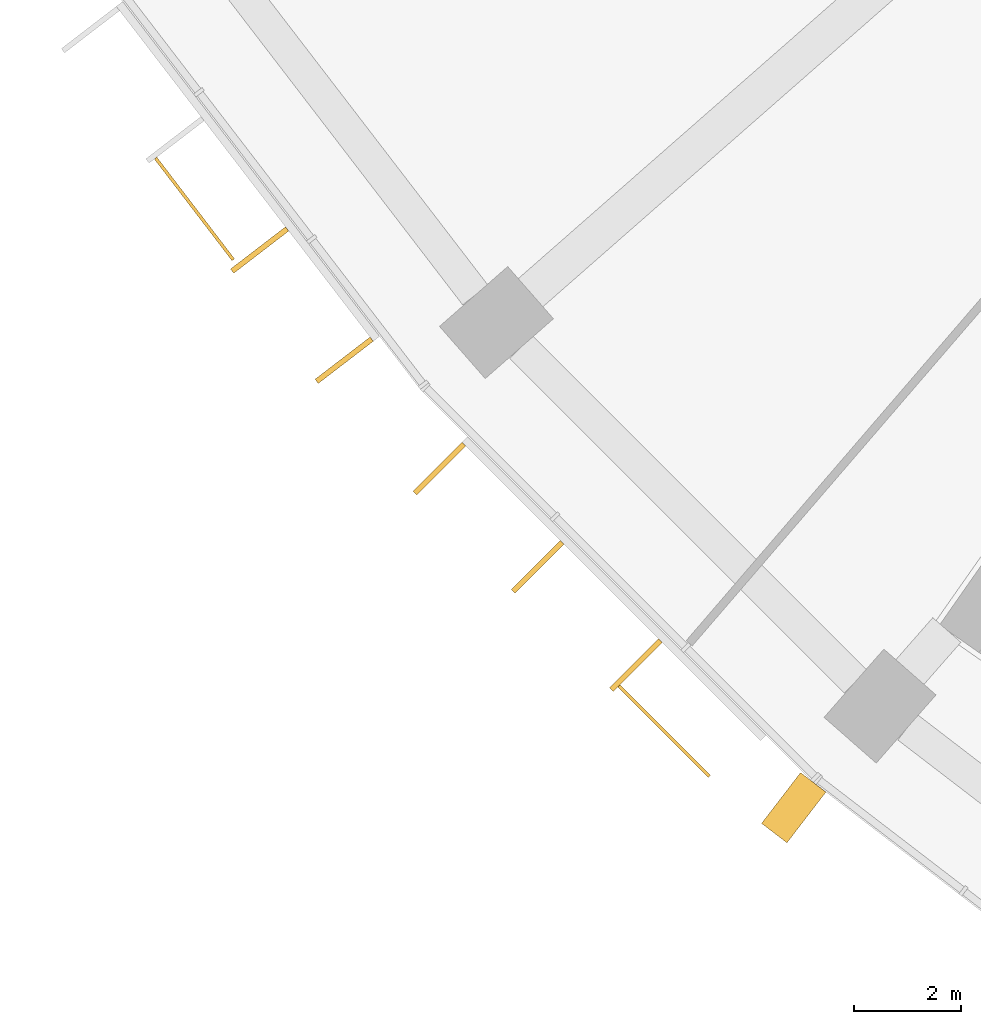
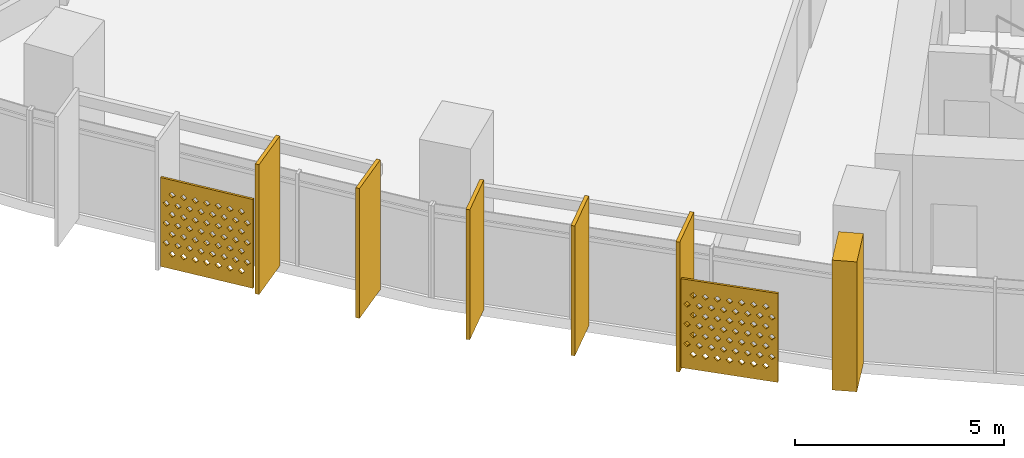
# One storey, part 24 of 31: 8 shading devices.
"""IFC4 building model written with IfcOpenShell, lengths in metres."""

from ifc_helpers import new_model, si_unit, direction, frame, origin, origin_2d, place, context, subcontext, project, spatial, polyline, rectangle, outline, extrude, material, material_profile, profile_set, type_object, element, save


model = new_model("IFC4")

# Units and contexts
model_context = context("Model", 3, precision=1e-05, world=origin(), true_north=direction((0.0, 1.0)))
body_context = subcontext(model_context, "Body", "Model", "MODEL_VIEW")
ifc_project = project(units=[si_unit("LENGTHUNIT", "METRE"), si_unit("AREAUNIT", "SQUARE_METRE"), si_unit("VOLUMEUNIT", "CUBIC_METRE"), si_unit("PLANEANGLEUNIT", "RADIAN"), si_unit("MASSUNIT", "GRAM", prefix="KILO")], contexts=[model_context])

# Site, building, storey
site_placement = place(None, origin())
site = spatial("IfcSite", under=ifc_project, at=site_placement, CompositionType="ELEMENT")
building_placement = place(site_placement, origin())
building = spatial("IfcBuilding", under=site, at=building_placement, Name="Qamariyya Broadcast Tower", CompositionType="ELEMENT")
storey_placement = place(building_placement, frame((0.0, 0.0, 82.300048828125)))
storey = spatial("IfcBuildingStorey", under=building, at=storey_placement, Name="L17", CompositionType="ELEMENT", Elevation=82.300048828125)

# Shading devices
ifc_material_1 = material(Name="Steel S355 powder coated deep red", Category="steel")
shading_device_type_1 = type_object("IfcShadingDeviceType", Name="Deep red frame, powder coated steel box section", PredefinedType="USERDEFINED", material=ifc_material_1)
shading_device_1_placement = place(storey_placement, origin())
element("IfcShadingDevice", 1, at=shading_device_1_placement, inside=storey, type_object=shading_device_type_1, Name="e-frm-B1-F2-posta-L17", ObjectType="FRAME", PredefinedType="USERDEFINED", context=body_context, shape_type="SweptSolid", body=[
    extrude(outline(polyline([(-52.7548828125, -59.701416015625), (-53.4853515625, -60.6533203125), (-53.009521484375, -61.018798828125), (-52.27880859375, -60.066650390625), (-52.7548828125, -59.701416015625)])), origin(), (0.0, 0.0, 1.0), 3.800048828125),
])
ifc_material_2 = material(Name="Perforated glazed terracotta", Category="masonry")
ifc_material_profile_1 = material_profile(ifc_material_2, outline(polyline([(-1.199951171875, -1.300048828125), (1.199951171875, -1.300048828125), (1.199951171875, 1.300048828125), (-1.199951171875, 1.300048828125), (-1.199951171875, -1.300048828125)]), holes=[polyline([(-0.81494140625, -0.86669921875), (-0.89990234375, -0.78173828125), (-0.985107421875, -0.86669921875), (-0.89990234375, -0.95166015625), (-0.81494140625, -0.86669921875)]), polyline([(-0.514892578125, -0.86669921875), (-0.60009765625, -0.78173828125), (-0.68505859375, -0.86669921875), (-0.60009765625, -0.95166015625), (-0.514892578125, -0.86669921875)]), polyline([(-0.215087890625, -0.86669921875), (-0.300048828125, -0.78173828125), (-0.385009765625, -0.86669921875), (-0.300048828125, -0.95166015625), (-0.215087890625, -0.86669921875)]), polyline([(0.0849609375, -0.86669921875), (0.0, -0.78173828125), (-0.0849609375, -0.86669921875), (0.0, -0.95166015625), (0.0849609375, -0.86669921875)]), polyline([(0.385009765625, -0.86669921875), (0.300048828125, -0.78173828125), (0.215087890625, -0.86669921875), (0.300048828125, -0.95166015625), (0.385009765625, -0.86669921875)]), polyline([(0.68505859375, -0.86669921875), (0.60009765625, -0.78173828125), (0.514892578125, -0.86669921875), (0.60009765625, -0.95166015625), (0.68505859375, -0.86669921875)]), polyline([(0.985107421875, -0.86669921875), (0.89990234375, -0.78173828125), (0.81494140625, -0.86669921875), (0.89990234375, -0.95166015625), (0.985107421875, -0.86669921875)]), polyline([(-0.965087890625, -0.577880859375), (-1.050048828125, -0.49267578125), (-1.135009765625, -0.577880859375), (-1.050048828125, -0.662841796875), (-0.965087890625, -0.577880859375)]), polyline([(-0.6650390625, -0.577880859375), (-0.75, -0.49267578125), (-0.8349609375, -0.577880859375), (-0.75, -0.662841796875), (-0.6650390625, -0.577880859375)]), polyline([(-0.364990234375, -0.577880859375), (-0.449951171875, -0.49267578125), (-0.534912109375, -0.577880859375), (-0.449951171875, -0.662841796875), (-0.364990234375, -0.577880859375)]), polyline([(-0.06494140625, -0.577880859375), (-0.14990234375, -0.49267578125), (-0.235107421875, -0.577880859375), (-0.14990234375, -0.662841796875), (-0.06494140625, -0.577880859375)]), polyline([(0.235107421875, -0.577880859375), (0.14990234375, -0.49267578125), (0.06494140625, -0.577880859375), (0.14990234375, -0.662841796875), (0.235107421875, -0.577880859375)]), polyline([(0.534912109375, -0.577880859375), (0.449951171875, -0.49267578125), (0.364990234375, -0.577880859375), (0.449951171875, -0.662841796875), (0.534912109375, -0.577880859375)]), polyline([(0.8349609375, -0.577880859375), (0.75, -0.49267578125), (0.6650390625, -0.577880859375), (0.75, -0.662841796875), (0.8349609375, -0.577880859375)]), polyline([(1.135009765625, -0.577880859375), (1.050048828125, -0.49267578125), (0.965087890625, -0.577880859375), (1.050048828125, -0.662841796875), (1.135009765625, -0.577880859375)]), polyline([(-0.81494140625, -0.288818359375), (-0.89990234375, -0.203857421875), (-0.985107421875, -0.288818359375), (-0.89990234375, -0.373779296875), (-0.81494140625, -0.288818359375)]), polyline([(-0.514892578125, -0.288818359375), (-0.60009765625, -0.203857421875), (-0.68505859375, -0.288818359375), (-0.60009765625, -0.373779296875), (-0.514892578125, -0.288818359375)]), polyline([(-0.215087890625, -0.288818359375), (-0.300048828125, -0.203857421875), (-0.385009765625, -0.288818359375), (-0.300048828125, -0.373779296875), (-0.215087890625, -0.288818359375)]), polyline([(0.0849609375, -0.288818359375), (0.0, -0.203857421875), (-0.0849609375, -0.288818359375), (0.0, -0.373779296875), (0.0849609375, -0.288818359375)]), polyline([(0.385009765625, -0.288818359375), (0.300048828125, -0.203857421875), (0.215087890625, -0.288818359375), (0.300048828125, -0.373779296875), (0.385009765625, -0.288818359375)]), polyline([(0.68505859375, -0.288818359375), (0.60009765625, -0.203857421875), (0.514892578125, -0.288818359375), (0.60009765625, -0.373779296875), (0.68505859375, -0.288818359375)]), polyline([(0.985107421875, -0.288818359375), (0.89990234375, -0.203857421875), (0.81494140625, -0.288818359375), (0.89990234375, -0.373779296875), (0.985107421875, -0.288818359375)]), polyline([(-0.965087890625, 0.0), (-1.050048828125, 0.0849609375), (-1.135009765625, 0.0), (-1.050048828125, -0.0849609375), (-0.965087890625, 0.0)]), polyline([(-0.6650390625, 0.0), (-0.75, 0.0849609375), (-0.8349609375, 0.0), (-0.75, -0.0849609375), (-0.6650390625, 0.0)]), polyline([(-0.364990234375, 0.0), (-0.449951171875, 0.0849609375), (-0.534912109375, 0.0), (-0.449951171875, -0.0849609375), (-0.364990234375, 0.0)]), polyline([(-0.06494140625, 0.0), (-0.14990234375, 0.0849609375), (-0.235107421875, 0.0), (-0.14990234375, -0.0849609375), (-0.06494140625, 0.0)]), polyline([(0.235107421875, 0.0), (0.14990234375, 0.0849609375), (0.06494140625, 0.0), (0.14990234375, -0.0849609375), (0.235107421875, 0.0)]), polyline([(0.534912109375, 0.0), (0.449951171875, 0.0849609375), (0.364990234375, 0.0), (0.449951171875, -0.0849609375), (0.534912109375, 0.0)]), polyline([(0.8349609375, 0.0), (0.75, 0.0849609375), (0.6650390625, 0.0), (0.75, -0.0849609375), (0.8349609375, 0.0)]), polyline([(1.135009765625, 0.0), (1.050048828125, 0.0849609375), (0.965087890625, 0.0), (1.050048828125, -0.0849609375), (1.135009765625, 0.0)]), polyline([(-0.81494140625, 0.288818359375), (-0.89990234375, 0.373779296875), (-0.985107421875, 0.288818359375), (-0.89990234375, 0.203857421875), (-0.81494140625, 0.288818359375)]), polyline([(-0.514892578125, 0.288818359375), (-0.60009765625, 0.373779296875), (-0.68505859375, 0.288818359375), (-0.60009765625, 0.203857421875), (-0.514892578125, 0.288818359375)]), polyline([(-0.215087890625, 0.288818359375), (-0.300048828125, 0.373779296875), (-0.385009765625, 0.288818359375), (-0.300048828125, 0.203857421875), (-0.215087890625, 0.288818359375)]), polyline([(0.0849609375, 0.288818359375), (0.0, 0.373779296875), (-0.0849609375, 0.288818359375), (0.0, 0.203857421875), (0.0849609375, 0.288818359375)]), polyline([(0.385009765625, 0.288818359375), (0.300048828125, 0.373779296875), (0.215087890625, 0.288818359375), (0.300048828125, 0.203857421875), (0.385009765625, 0.288818359375)]), polyline([(0.68505859375, 0.288818359375), (0.60009765625, 0.373779296875), (0.514892578125, 0.288818359375), (0.60009765625, 0.203857421875), (0.68505859375, 0.288818359375)]), polyline([(0.985107421875, 0.288818359375), (0.89990234375, 0.373779296875), (0.81494140625, 0.288818359375), (0.89990234375, 0.203857421875), (0.985107421875, 0.288818359375)]), polyline([(-0.965087890625, 0.577880859375), (-1.050048828125, 0.662841796875), (-1.135009765625, 0.577880859375), (-1.050048828125, 0.49267578125), (-0.965087890625, 0.577880859375)]), polyline([(-0.6650390625, 0.577880859375), (-0.75, 0.662841796875), (-0.8349609375, 0.577880859375), (-0.75, 0.49267578125), (-0.6650390625, 0.577880859375)]), polyline([(-0.364990234375, 0.577880859375), (-0.449951171875, 0.662841796875), (-0.534912109375, 0.577880859375), (-0.449951171875, 0.49267578125), (-0.364990234375, 0.577880859375)]), polyline([(-0.06494140625, 0.577880859375), (-0.14990234375, 0.662841796875), (-0.235107421875, 0.577880859375), (-0.14990234375, 0.49267578125), (-0.06494140625, 0.577880859375)]), polyline([(0.235107421875, 0.577880859375), (0.14990234375, 0.662841796875), (0.06494140625, 0.577880859375), (0.14990234375, 0.49267578125), (0.235107421875, 0.577880859375)]), polyline([(0.534912109375, 0.577880859375), (0.449951171875, 0.662841796875), (0.364990234375, 0.577880859375), (0.449951171875, 0.49267578125), (0.534912109375, 0.577880859375)]), polyline([(0.8349609375, 0.577880859375), (0.75, 0.662841796875), (0.6650390625, 0.577880859375), (0.75, 0.49267578125), (0.8349609375, 0.577880859375)]), polyline([(1.135009765625, 0.577880859375), (1.050048828125, 0.662841796875), (0.965087890625, 0.577880859375), (1.050048828125, 0.49267578125), (1.135009765625, 0.577880859375)]), polyline([(-0.81494140625, 0.86669921875), (-0.89990234375, 0.95166015625), (-0.985107421875, 0.86669921875), (-0.89990234375, 0.78173828125), (-0.81494140625, 0.86669921875)]), polyline([(-0.514892578125, 0.86669921875), (-0.60009765625, 0.95166015625), (-0.68505859375, 0.86669921875), (-0.60009765625, 0.78173828125), (-0.514892578125, 0.86669921875)]), polyline([(-0.215087890625, 0.86669921875), (-0.300048828125, 0.95166015625), (-0.385009765625, 0.86669921875), (-0.300048828125, 0.78173828125), (-0.215087890625, 0.86669921875)]), polyline([(0.0849609375, 0.86669921875), (0.0, 0.95166015625), (-0.0849609375, 0.86669921875), (0.0, 0.78173828125), (0.0849609375, 0.86669921875)]), polyline([(0.385009765625, 0.86669921875), (0.300048828125, 0.95166015625), (0.215087890625, 0.86669921875), (0.300048828125, 0.78173828125), (0.385009765625, 0.86669921875)]), polyline([(0.68505859375, 0.86669921875), (0.60009765625, 0.95166015625), (0.514892578125, 0.86669921875), (0.60009765625, 0.78173828125), (0.68505859375, 0.86669921875)]), polyline([(0.985107421875, 0.86669921875), (0.89990234375, 0.95166015625), (0.81494140625, 0.86669921875), (0.89990234375, 0.78173828125), (0.985107421875, 0.86669921875)])]))
ifc_profile_set_1 = profile_set([ifc_material_profile_1], Name="Perforated glazed terracotta")
shading_device_type_2 = type_object("IfcShadingDeviceType", Name="Perforated terracotta screen 2400 x 2600", PredefinedType="USERDEFINED", material=ifc_profile_set_1)
shading_device_2_placement = place(storey_placement, frame((-64.0947265625, -49.11572265625, 1.349853515625), z_axis=(-0.794589096806, -0.607147566278, 0.0), x_axis=(0.607147566278, -0.794589096806, 0.0)))
element("IfcShadingDevice", 2, at=shading_device_2_placement, inside=storey, type_object=shading_device_type_2, Name="e-scr-L17-01-1", ObjectType="SCREEN", PredefinedType="USERDEFINED", context=body_context, shape_type="SweptSolid", body=[
    extrude(outline(polyline([(-1.199951171875, -1.300048828125), (1.199951171875, -1.300048828125), (1.199951171875, 1.300048828125), (-1.199951171875, 1.300048828125), (-1.199951171875, -1.300048828125)]), holes=[polyline([(-0.81494140625, -0.86669921875), (-0.89990234375, -0.78173828125), (-0.985107421875, -0.86669921875), (-0.89990234375, -0.95166015625), (-0.81494140625, -0.86669921875)]), polyline([(-0.514892578125, -0.86669921875), (-0.60009765625, -0.78173828125), (-0.68505859375, -0.86669921875), (-0.60009765625, -0.95166015625), (-0.514892578125, -0.86669921875)]), polyline([(-0.215087890625, -0.86669921875), (-0.300048828125, -0.78173828125), (-0.385009765625, -0.86669921875), (-0.300048828125, -0.95166015625), (-0.215087890625, -0.86669921875)]), polyline([(0.0849609375, -0.86669921875), (0.0, -0.78173828125), (-0.0849609375, -0.86669921875), (0.0, -0.95166015625), (0.0849609375, -0.86669921875)]), polyline([(0.385009765625, -0.86669921875), (0.300048828125, -0.78173828125), (0.215087890625, -0.86669921875), (0.300048828125, -0.95166015625), (0.385009765625, -0.86669921875)]), polyline([(0.68505859375, -0.86669921875), (0.60009765625, -0.78173828125), (0.514892578125, -0.86669921875), (0.60009765625, -0.95166015625), (0.68505859375, -0.86669921875)]), polyline([(0.985107421875, -0.86669921875), (0.89990234375, -0.78173828125), (0.81494140625, -0.86669921875), (0.89990234375, -0.95166015625), (0.985107421875, -0.86669921875)]), polyline([(-0.965087890625, -0.577880859375), (-1.050048828125, -0.49267578125), (-1.135009765625, -0.577880859375), (-1.050048828125, -0.662841796875), (-0.965087890625, -0.577880859375)]), polyline([(-0.6650390625, -0.577880859375), (-0.75, -0.49267578125), (-0.8349609375, -0.577880859375), (-0.75, -0.662841796875), (-0.6650390625, -0.577880859375)]), polyline([(-0.364990234375, -0.577880859375), (-0.449951171875, -0.49267578125), (-0.534912109375, -0.577880859375), (-0.449951171875, -0.662841796875), (-0.364990234375, -0.577880859375)]), polyline([(-0.06494140625, -0.577880859375), (-0.14990234375, -0.49267578125), (-0.235107421875, -0.577880859375), (-0.14990234375, -0.662841796875), (-0.06494140625, -0.577880859375)]), polyline([(0.235107421875, -0.577880859375), (0.14990234375, -0.49267578125), (0.06494140625, -0.577880859375), (0.14990234375, -0.662841796875), (0.235107421875, -0.577880859375)]), polyline([(0.534912109375, -0.577880859375), (0.449951171875, -0.49267578125), (0.364990234375, -0.577880859375), (0.449951171875, -0.662841796875), (0.534912109375, -0.577880859375)]), polyline([(0.8349609375, -0.577880859375), (0.75, -0.49267578125), (0.6650390625, -0.577880859375), (0.75, -0.662841796875), (0.8349609375, -0.577880859375)]), polyline([(1.135009765625, -0.577880859375), (1.050048828125, -0.49267578125), (0.965087890625, -0.577880859375), (1.050048828125, -0.662841796875), (1.135009765625, -0.577880859375)]), polyline([(-0.81494140625, -0.288818359375), (-0.89990234375, -0.203857421875), (-0.985107421875, -0.288818359375), (-0.89990234375, -0.373779296875), (-0.81494140625, -0.288818359375)]), polyline([(-0.514892578125, -0.288818359375), (-0.60009765625, -0.203857421875), (-0.68505859375, -0.288818359375), (-0.60009765625, -0.373779296875), (-0.514892578125, -0.288818359375)]), polyline([(-0.215087890625, -0.288818359375), (-0.300048828125, -0.203857421875), (-0.385009765625, -0.288818359375), (-0.300048828125, -0.373779296875), (-0.215087890625, -0.288818359375)]), polyline([(0.0849609375, -0.288818359375), (0.0, -0.203857421875), (-0.0849609375, -0.288818359375), (0.0, -0.373779296875), (0.0849609375, -0.288818359375)]), polyline([(0.385009765625, -0.288818359375), (0.300048828125, -0.203857421875), (0.215087890625, -0.288818359375), (0.300048828125, -0.373779296875), (0.385009765625, -0.288818359375)]), polyline([(0.68505859375, -0.288818359375), (0.60009765625, -0.203857421875), (0.514892578125, -0.288818359375), (0.60009765625, -0.373779296875), (0.68505859375, -0.288818359375)]), polyline([(0.985107421875, -0.288818359375), (0.89990234375, -0.203857421875), (0.81494140625, -0.288818359375), (0.89990234375, -0.373779296875), (0.985107421875, -0.288818359375)]), polyline([(-0.965087890625, 0.0), (-1.050048828125, 0.0849609375), (-1.135009765625, 0.0), (-1.050048828125, -0.0849609375), (-0.965087890625, 0.0)]), polyline([(-0.6650390625, 0.0), (-0.75, 0.0849609375), (-0.8349609375, 0.0), (-0.75, -0.0849609375), (-0.6650390625, 0.0)]), polyline([(-0.364990234375, 0.0), (-0.449951171875, 0.0849609375), (-0.534912109375, 0.0), (-0.449951171875, -0.0849609375), (-0.364990234375, 0.0)]), polyline([(-0.06494140625, 0.0), (-0.14990234375, 0.0849609375), (-0.235107421875, 0.0), (-0.14990234375, -0.0849609375), (-0.06494140625, 0.0)]), polyline([(0.235107421875, 0.0), (0.14990234375, 0.0849609375), (0.06494140625, 0.0), (0.14990234375, -0.0849609375), (0.235107421875, 0.0)]), polyline([(0.534912109375, 0.0), (0.449951171875, 0.0849609375), (0.364990234375, 0.0), (0.449951171875, -0.0849609375), (0.534912109375, 0.0)]), polyline([(0.8349609375, 0.0), (0.75, 0.0849609375), (0.6650390625, 0.0), (0.75, -0.0849609375), (0.8349609375, 0.0)]), polyline([(1.135009765625, 0.0), (1.050048828125, 0.0849609375), (0.965087890625, 0.0), (1.050048828125, -0.0849609375), (1.135009765625, 0.0)]), polyline([(-0.81494140625, 0.288818359375), (-0.89990234375, 0.373779296875), (-0.985107421875, 0.288818359375), (-0.89990234375, 0.203857421875), (-0.81494140625, 0.288818359375)]), polyline([(-0.514892578125, 0.288818359375), (-0.60009765625, 0.373779296875), (-0.68505859375, 0.288818359375), (-0.60009765625, 0.203857421875), (-0.514892578125, 0.288818359375)]), polyline([(-0.215087890625, 0.288818359375), (-0.300048828125, 0.373779296875), (-0.385009765625, 0.288818359375), (-0.300048828125, 0.203857421875), (-0.215087890625, 0.288818359375)]), polyline([(0.0849609375, 0.288818359375), (0.0, 0.373779296875), (-0.0849609375, 0.288818359375), (0.0, 0.203857421875), (0.0849609375, 0.288818359375)]), polyline([(0.385009765625, 0.288818359375), (0.300048828125, 0.373779296875), (0.215087890625, 0.288818359375), (0.300048828125, 0.203857421875), (0.385009765625, 0.288818359375)]), polyline([(0.68505859375, 0.288818359375), (0.60009765625, 0.373779296875), (0.514892578125, 0.288818359375), (0.60009765625, 0.203857421875), (0.68505859375, 0.288818359375)]), polyline([(0.985107421875, 0.288818359375), (0.89990234375, 0.373779296875), (0.81494140625, 0.288818359375), (0.89990234375, 0.203857421875), (0.985107421875, 0.288818359375)]), polyline([(-0.965087890625, 0.577880859375), (-1.050048828125, 0.662841796875), (-1.135009765625, 0.577880859375), (-1.050048828125, 0.49267578125), (-0.965087890625, 0.577880859375)]), polyline([(-0.6650390625, 0.577880859375), (-0.75, 0.662841796875), (-0.8349609375, 0.577880859375), (-0.75, 0.49267578125), (-0.6650390625, 0.577880859375)]), polyline([(-0.364990234375, 0.577880859375), (-0.449951171875, 0.662841796875), (-0.534912109375, 0.577880859375), (-0.449951171875, 0.49267578125), (-0.364990234375, 0.577880859375)]), polyline([(-0.06494140625, 0.577880859375), (-0.14990234375, 0.662841796875), (-0.235107421875, 0.577880859375), (-0.14990234375, 0.49267578125), (-0.06494140625, 0.577880859375)]), polyline([(0.235107421875, 0.577880859375), (0.14990234375, 0.662841796875), (0.06494140625, 0.577880859375), (0.14990234375, 0.49267578125), (0.235107421875, 0.577880859375)]), polyline([(0.534912109375, 0.577880859375), (0.449951171875, 0.662841796875), (0.364990234375, 0.577880859375), (0.449951171875, 0.49267578125), (0.534912109375, 0.577880859375)]), polyline([(0.8349609375, 0.577880859375), (0.75, 0.662841796875), (0.6650390625, 0.577880859375), (0.75, 0.49267578125), (0.8349609375, 0.577880859375)]), polyline([(1.135009765625, 0.577880859375), (1.050048828125, 0.662841796875), (0.965087890625, 0.577880859375), (1.050048828125, 0.49267578125), (1.135009765625, 0.577880859375)]), polyline([(-0.81494140625, 0.86669921875), (-0.89990234375, 0.95166015625), (-0.985107421875, 0.86669921875), (-0.89990234375, 0.78173828125), (-0.81494140625, 0.86669921875)]), polyline([(-0.514892578125, 0.86669921875), (-0.60009765625, 0.95166015625), (-0.68505859375, 0.86669921875), (-0.60009765625, 0.78173828125), (-0.514892578125, 0.86669921875)]), polyline([(-0.215087890625, 0.86669921875), (-0.300048828125, 0.95166015625), (-0.385009765625, 0.86669921875), (-0.300048828125, 0.78173828125), (-0.215087890625, 0.86669921875)]), polyline([(0.0849609375, 0.86669921875), (0.0, 0.95166015625), (-0.0849609375, 0.86669921875), (0.0, 0.78173828125), (0.0849609375, 0.86669921875)]), polyline([(0.385009765625, 0.86669921875), (0.300048828125, 0.95166015625), (0.215087890625, 0.86669921875), (0.300048828125, 0.78173828125), (0.385009765625, 0.86669921875)]), polyline([(0.68505859375, 0.86669921875), (0.60009765625, 0.95166015625), (0.514892578125, 0.86669921875), (0.60009765625, 0.78173828125), (0.68505859375, 0.86669921875)]), polyline([(0.985107421875, 0.86669921875), (0.89990234375, 0.95166015625), (0.81494140625, 0.86669921875), (0.89990234375, 0.78173828125), (0.985107421875, 0.86669921875)])]), origin(), (0.0, 0.0, 1.0), 0.059814453125),
])
shading_device_3_placement = place(storey_placement, frame((-55.293701171875, -58.9033203125, 1.349853515625), z_axis=(-0.707106781187, -0.707106781187, 0.0), x_axis=(0.707106781187, -0.707106781187, 0.0)))
element("IfcShadingDevice", 3, at=shading_device_3_placement, inside=storey, type_object=shading_device_type_2, Name="e-scr-L17-02-2", ObjectType="SCREEN", PredefinedType="USERDEFINED", context=body_context, shape_type="SweptSolid", body=[
    extrude(outline(polyline([(-1.199951171875, -1.300048828125), (1.199951171875, -1.300048828125), (1.199951171875, 1.300048828125), (-1.199951171875, 1.300048828125), (-1.199951171875, -1.300048828125)]), holes=[polyline([(-0.81494140625, -0.86669921875), (-0.89990234375, -0.78173828125), (-0.985107421875, -0.86669921875), (-0.89990234375, -0.95166015625), (-0.81494140625, -0.86669921875)]), polyline([(-0.514892578125, -0.86669921875), (-0.60009765625, -0.78173828125), (-0.68505859375, -0.86669921875), (-0.60009765625, -0.95166015625), (-0.514892578125, -0.86669921875)]), polyline([(-0.215087890625, -0.86669921875), (-0.300048828125, -0.78173828125), (-0.385009765625, -0.86669921875), (-0.300048828125, -0.95166015625), (-0.215087890625, -0.86669921875)]), polyline([(0.0849609375, -0.86669921875), (0.0, -0.78173828125), (-0.0849609375, -0.86669921875), (0.0, -0.95166015625), (0.0849609375, -0.86669921875)]), polyline([(0.385009765625, -0.86669921875), (0.300048828125, -0.78173828125), (0.215087890625, -0.86669921875), (0.300048828125, -0.95166015625), (0.385009765625, -0.86669921875)]), polyline([(0.68505859375, -0.86669921875), (0.60009765625, -0.78173828125), (0.514892578125, -0.86669921875), (0.60009765625, -0.95166015625), (0.68505859375, -0.86669921875)]), polyline([(0.985107421875, -0.86669921875), (0.89990234375, -0.78173828125), (0.81494140625, -0.86669921875), (0.89990234375, -0.95166015625), (0.985107421875, -0.86669921875)]), polyline([(-0.965087890625, -0.577880859375), (-1.050048828125, -0.49267578125), (-1.135009765625, -0.577880859375), (-1.050048828125, -0.662841796875), (-0.965087890625, -0.577880859375)]), polyline([(-0.6650390625, -0.577880859375), (-0.75, -0.49267578125), (-0.8349609375, -0.577880859375), (-0.75, -0.662841796875), (-0.6650390625, -0.577880859375)]), polyline([(-0.364990234375, -0.577880859375), (-0.449951171875, -0.49267578125), (-0.534912109375, -0.577880859375), (-0.449951171875, -0.662841796875), (-0.364990234375, -0.577880859375)]), polyline([(-0.06494140625, -0.577880859375), (-0.14990234375, -0.49267578125), (-0.235107421875, -0.577880859375), (-0.14990234375, -0.662841796875), (-0.06494140625, -0.577880859375)]), polyline([(0.235107421875, -0.577880859375), (0.14990234375, -0.49267578125), (0.06494140625, -0.577880859375), (0.14990234375, -0.662841796875), (0.235107421875, -0.577880859375)]), polyline([(0.534912109375, -0.577880859375), (0.449951171875, -0.49267578125), (0.364990234375, -0.577880859375), (0.449951171875, -0.662841796875), (0.534912109375, -0.577880859375)]), polyline([(0.8349609375, -0.577880859375), (0.75, -0.49267578125), (0.6650390625, -0.577880859375), (0.75, -0.662841796875), (0.8349609375, -0.577880859375)]), polyline([(1.135009765625, -0.577880859375), (1.050048828125, -0.49267578125), (0.965087890625, -0.577880859375), (1.050048828125, -0.662841796875), (1.135009765625, -0.577880859375)]), polyline([(-0.81494140625, -0.288818359375), (-0.89990234375, -0.203857421875), (-0.985107421875, -0.288818359375), (-0.89990234375, -0.373779296875), (-0.81494140625, -0.288818359375)]), polyline([(-0.514892578125, -0.288818359375), (-0.60009765625, -0.203857421875), (-0.68505859375, -0.288818359375), (-0.60009765625, -0.373779296875), (-0.514892578125, -0.288818359375)]), polyline([(-0.215087890625, -0.288818359375), (-0.300048828125, -0.203857421875), (-0.385009765625, -0.288818359375), (-0.300048828125, -0.373779296875), (-0.215087890625, -0.288818359375)]), polyline([(0.0849609375, -0.288818359375), (0.0, -0.203857421875), (-0.0849609375, -0.288818359375), (0.0, -0.373779296875), (0.0849609375, -0.288818359375)]), polyline([(0.385009765625, -0.288818359375), (0.300048828125, -0.203857421875), (0.215087890625, -0.288818359375), (0.300048828125, -0.373779296875), (0.385009765625, -0.288818359375)]), polyline([(0.68505859375, -0.288818359375), (0.60009765625, -0.203857421875), (0.514892578125, -0.288818359375), (0.60009765625, -0.373779296875), (0.68505859375, -0.288818359375)]), polyline([(0.985107421875, -0.288818359375), (0.89990234375, -0.203857421875), (0.81494140625, -0.288818359375), (0.89990234375, -0.373779296875), (0.985107421875, -0.288818359375)]), polyline([(-0.965087890625, 0.0), (-1.050048828125, 0.0849609375), (-1.135009765625, 0.0), (-1.050048828125, -0.0849609375), (-0.965087890625, 0.0)]), polyline([(-0.6650390625, 0.0), (-0.75, 0.0849609375), (-0.8349609375, 0.0), (-0.75, -0.0849609375), (-0.6650390625, 0.0)]), polyline([(-0.364990234375, 0.0), (-0.449951171875, 0.0849609375), (-0.534912109375, 0.0), (-0.449951171875, -0.0849609375), (-0.364990234375, 0.0)]), polyline([(-0.06494140625, 0.0), (-0.14990234375, 0.0849609375), (-0.235107421875, 0.0), (-0.14990234375, -0.0849609375), (-0.06494140625, 0.0)]), polyline([(0.235107421875, 0.0), (0.14990234375, 0.0849609375), (0.06494140625, 0.0), (0.14990234375, -0.0849609375), (0.235107421875, 0.0)]), polyline([(0.534912109375, 0.0), (0.449951171875, 0.0849609375), (0.364990234375, 0.0), (0.449951171875, -0.0849609375), (0.534912109375, 0.0)]), polyline([(0.8349609375, 0.0), (0.75, 0.0849609375), (0.6650390625, 0.0), (0.75, -0.0849609375), (0.8349609375, 0.0)]), polyline([(1.135009765625, 0.0), (1.050048828125, 0.0849609375), (0.965087890625, 0.0), (1.050048828125, -0.0849609375), (1.135009765625, 0.0)]), polyline([(-0.81494140625, 0.288818359375), (-0.89990234375, 0.373779296875), (-0.985107421875, 0.288818359375), (-0.89990234375, 0.203857421875), (-0.81494140625, 0.288818359375)]), polyline([(-0.514892578125, 0.288818359375), (-0.60009765625, 0.373779296875), (-0.68505859375, 0.288818359375), (-0.60009765625, 0.203857421875), (-0.514892578125, 0.288818359375)]), polyline([(-0.215087890625, 0.288818359375), (-0.300048828125, 0.373779296875), (-0.385009765625, 0.288818359375), (-0.300048828125, 0.203857421875), (-0.215087890625, 0.288818359375)]), polyline([(0.0849609375, 0.288818359375), (0.0, 0.373779296875), (-0.0849609375, 0.288818359375), (0.0, 0.203857421875), (0.0849609375, 0.288818359375)]), polyline([(0.385009765625, 0.288818359375), (0.300048828125, 0.373779296875), (0.215087890625, 0.288818359375), (0.300048828125, 0.203857421875), (0.385009765625, 0.288818359375)]), polyline([(0.68505859375, 0.288818359375), (0.60009765625, 0.373779296875), (0.514892578125, 0.288818359375), (0.60009765625, 0.203857421875), (0.68505859375, 0.288818359375)]), polyline([(0.985107421875, 0.288818359375), (0.89990234375, 0.373779296875), (0.81494140625, 0.288818359375), (0.89990234375, 0.203857421875), (0.985107421875, 0.288818359375)]), polyline([(-0.965087890625, 0.577880859375), (-1.050048828125, 0.662841796875), (-1.135009765625, 0.577880859375), (-1.050048828125, 0.49267578125), (-0.965087890625, 0.577880859375)]), polyline([(-0.6650390625, 0.577880859375), (-0.75, 0.662841796875), (-0.8349609375, 0.577880859375), (-0.75, 0.49267578125), (-0.6650390625, 0.577880859375)]), polyline([(-0.364990234375, 0.577880859375), (-0.449951171875, 0.662841796875), (-0.534912109375, 0.577880859375), (-0.449951171875, 0.49267578125), (-0.364990234375, 0.577880859375)]), polyline([(-0.06494140625, 0.577880859375), (-0.14990234375, 0.662841796875), (-0.235107421875, 0.577880859375), (-0.14990234375, 0.49267578125), (-0.06494140625, 0.577880859375)]), polyline([(0.235107421875, 0.577880859375), (0.14990234375, 0.662841796875), (0.06494140625, 0.577880859375), (0.14990234375, 0.49267578125), (0.235107421875, 0.577880859375)]), polyline([(0.534912109375, 0.577880859375), (0.449951171875, 0.662841796875), (0.364990234375, 0.577880859375), (0.449951171875, 0.49267578125), (0.534912109375, 0.577880859375)]), polyline([(0.8349609375, 0.577880859375), (0.75, 0.662841796875), (0.6650390625, 0.577880859375), (0.75, 0.49267578125), (0.8349609375, 0.577880859375)]), polyline([(1.135009765625, 0.577880859375), (1.050048828125, 0.662841796875), (0.965087890625, 0.577880859375), (1.050048828125, 0.49267578125), (1.135009765625, 0.577880859375)]), polyline([(-0.81494140625, 0.86669921875), (-0.89990234375, 0.95166015625), (-0.985107421875, 0.86669921875), (-0.89990234375, 0.78173828125), (-0.81494140625, 0.86669921875)]), polyline([(-0.514892578125, 0.86669921875), (-0.60009765625, 0.95166015625), (-0.68505859375, 0.86669921875), (-0.60009765625, 0.78173828125), (-0.514892578125, 0.86669921875)]), polyline([(-0.215087890625, 0.86669921875), (-0.300048828125, 0.95166015625), (-0.385009765625, 0.86669921875), (-0.300048828125, 0.78173828125), (-0.215087890625, 0.86669921875)]), polyline([(0.0849609375, 0.86669921875), (0.0, 0.95166015625), (-0.0849609375, 0.86669921875), (0.0, 0.78173828125), (0.0849609375, 0.86669921875)]), polyline([(0.385009765625, 0.86669921875), (0.300048828125, 0.95166015625), (0.215087890625, 0.86669921875), (0.300048828125, 0.78173828125), (0.385009765625, 0.86669921875)]), polyline([(0.68505859375, 0.86669921875), (0.60009765625, 0.95166015625), (0.514892578125, 0.86669921875), (0.60009765625, 0.78173828125), (0.68505859375, 0.86669921875)]), polyline([(0.985107421875, 0.86669921875), (0.89990234375, 0.95166015625), (0.81494140625, 0.86669921875), (0.89990234375, 0.78173828125), (0.985107421875, 0.86669921875)])]), origin(), (0.0, 0.0, 1.0), 0.06005859375),
])
ifc_material_3 = material(Name="Glazed terracotta", Category="masonry")
ifc_material_profile_2 = material_profile(ifc_material_3, rectangle(XDim=1.300048828125, YDim=0.10009765625, at=origin_2d()))
ifc_profile_set_2 = profile_set([ifc_material_profile_2], Name="Glazed terracotta")
shading_device_type_3 = type_object("IfcShadingDeviceType", Name="Terracotta fin 100 x 1300", PredefinedType="USERDEFINED", material=ifc_profile_set_2)
for number, where, z_axis, x_axis, name in (
    (4, (-62.897216796875, -49.904296875, 0.0), (0.0, 0.0, 1.0), (-0.793353340291, -0.608761429009, 0.0), "e-fin-L17-01-2"),
    (5, (-61.3115234375, -51.970703125, 0.0), (0.0, 0.0, 1.0), (-0.793353340291, -0.608761429009, 0.0), "e-fin-L17-01-3"),
    (6, (-59.52880859375, -54.00341796875, 0.0), (0.0, 0.0, 1.0), (-0.707106781187, -0.707106781187, 0.0), "e-fin-L17-02-0"),
    (7, (-57.68701171875, -55.84521484375, 0.0), (0.0, 0.0, 1.0), (-0.707106781187, -0.707106781187, 0.0), "e-fin-L17-02-1"),
    (8, (-55.84521484375, -57.68701171875, 0.0), (0.0, 0.0, 1.0), (-0.707106781187, -0.707106781187, 0.0), "e-fin-L17-02-2"),
):
    element("IfcShadingDevice", number, at=place(storey_placement, frame(where, z_axis=z_axis, x_axis=x_axis)), inside=storey, type_object=shading_device_type_3, Name=name, ObjectType="FIN", PredefinedType="USERDEFINED", context=body_context, shape_type="SweptSolid", body=[
        extrude(rectangle(XDim=1.300048828125, YDim=0.10009765625, at=origin_2d()), origin(), (0.0, 0.0, 1.0), 3.800048828125),
    ])

save(model, "model.ifc")
